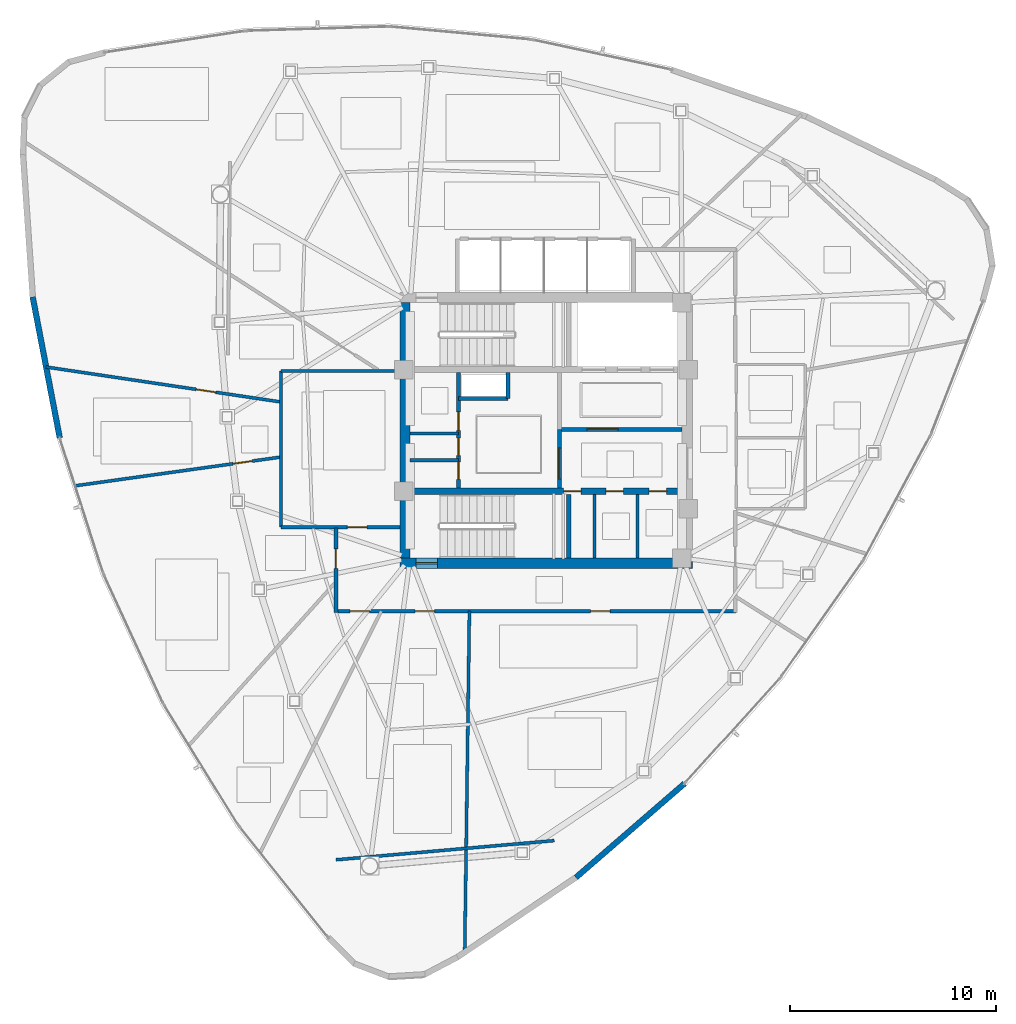
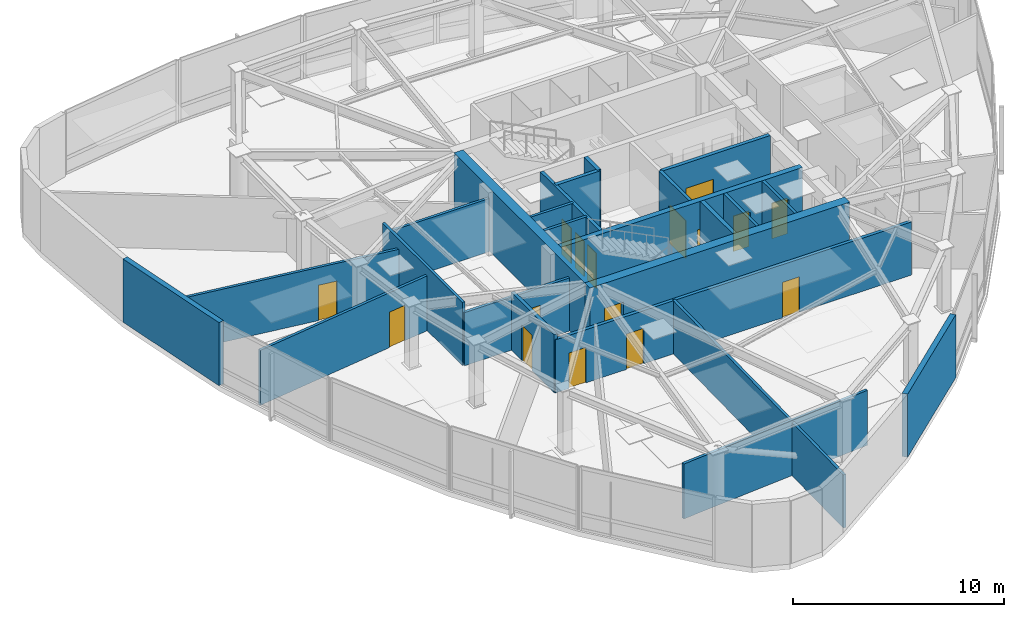
# One storey, part 9 of 14: 24 walls, 16 doors, 16 openings.
"""IFC4 building model written with IfcOpenShell, lengths in metres."""

from ifc_helpers import new_model, si_unit, direction, frame, frame_2d, origin, place, context, subcontext, project, spatial, rectangle, extrude, material, layer, layer_set, type_object, element, fill, save


model = new_model("IFC4")

# Units and contexts
model_context = context("Model", 3, precision=1e-05, world=origin(), true_north=direction((0.0, 1.0)))
body_context = subcontext(model_context, "Body", "Model", "MODEL_VIEW")
ifc_project = project(units=[si_unit("LENGTHUNIT", "METRE"), si_unit("AREAUNIT", "SQUARE_METRE"), si_unit("VOLUMEUNIT", "CUBIC_METRE"), si_unit("PLANEANGLEUNIT", "RADIAN"), si_unit("MASSUNIT", "GRAM", prefix="KILO")], contexts=[model_context])

# Site, building, storey
site_placement = place(None, origin())
site = spatial("IfcSite", under=ifc_project, at=site_placement, CompositionType="ELEMENT")
building_placement = place(site_placement, origin())
building = spatial("IfcBuilding", under=site, at=building_placement, Name="Tavelor Broadcast Tower", CompositionType="ELEMENT")
storey_placement = place(building_placement, frame((0.0, 0.0, 257.699951171875)))
storey = spatial("IfcBuildingStorey", under=building, at=storey_placement, Name="L61", CompositionType="ELEMENT", Elevation=257.699951171875)

# Wall, opening, door
ifc_material_1 = material(Name="Concrete C50/60", Category="concrete")
ifc_layer_1 = layer(ifc_material_1, 0.5)
ifc_layer_set_1 = layer_set([ifc_layer_1], Name="Concrete C50/60")
wall_type_1 = type_object("IfcWallType", Name="Core Shear Wall 500 mm", PredefinedType="SHEAR", material=ifc_layer_set_1)
wall_1_placement = place(storey_placement, frame((42.89990234375, 38.550048828125, 0.0), z_axis=(0.0, 0.0, 1.0), x_axis=(1.0, 0.0, 0.0)))
wall_1 = element("IfcWall", 1, at=wall_1_placement, inside=storey, type_object=wall_type_1, Name="L61 Central Core Shear Wall S", PredefinedType="SHEAR", context=body_context, shape_type="SweptSolid", body=[
    extrude(rectangle(XDim=14.2001953125, YDim=0.5, at=frame_2d((7.10009765625, 0.0))), origin(), (0.0, 0.0, 1.0), 3.650146484375),
])
opening_1_placement = place(wall_1_placement, frame((0.780029296875, 0.0, 0.0)))
opening_1 = element("IfcOpeningElement", 2, at=opening_1_placement, cuts=wall_1, Name="Opening DR11", PredefinedType="OPENING", context=body_context, shape_type="SweptSolid", body=[
    extrude(rectangle(XDim=1.050048828125, YDim=2.199951171875, at=frame_2d((0.52490234375, 1.10009765625))), frame((0.0, 0.260009765625, 0.0), z_axis=(0.0, -1.0, 0.0), x_axis=(1.0, 0.0, 0.0)), (0.0, 0.0, 1.0), 0.52001953125),
])
ifc_material_2 = material(Name="Steel S355", Category="steel")
door_type_1 = type_object("IfcDoorType", Name="Stair Core Fire Escape Door 1050x2200", OperationType="NOTDEFINED", PredefinedType="DOOR", material=ifc_material_2)
door_1_placement = place(opening_1_placement, origin())
door_1 = element("IfcDoor", 3, at=door_1_placement, inside=storey, type_object=door_type_1, Name="L61 Stair ST2 Protected Exit Door", OperationType="SINGLE_SWING_RIGHT", OverallHeight=2.199951171875, OverallWidth=1.050048828125, PredefinedType="DOOR", context=body_context, shape_type="SweptSolid", body=[
    extrude(rectangle(XDim=1.050048828125, YDim=2.199951171875, at=frame_2d((0.52490234375, 1.10009765625))), frame((0.0, 0.02490234375, 0.0), z_axis=(0.0, -1.0, 0.0), x_axis=(1.0, 0.0, 0.0)), (0.0, 0.0, 1.0), 0.050048828125),
])
fill(opening_1, door_1)

# Wall
wall_2_placement = place(storey_placement, frame((43.14990234375, 38.800048828125, 0.0), z_axis=(0.0, 0.0, 1.0), x_axis=(0.0, 1.0, 0.0)))
element("IfcWall", 4, at=wall_2_placement, inside=storey, type_object=wall_type_1, Name="L61 Central Core Shear Wall W", PredefinedType="SHEAR", context=body_context, shape_type="SweptSolid", body=[
    extrude(rectangle(XDim=12.39990234375, YDim=0.5, at=frame_2d((6.199951171875, 0.0))), origin(), (0.0, 0.0, 1.0), 3.650146484375),
])

# Wall, openings, doors
ifc_layer_2 = layer(ifc_material_1, 0.300048828125)
ifc_layer_set_2 = layer_set([ifc_layer_2], Name="Concrete C50/60")
wall_type_2 = type_object("IfcWallType", Name="Core Spine Shear Wall 300 mm C50", PredefinedType="SHEAR", material=ifc_layer_set_2)
wall_3_placement = place(storey_placement, frame((43.39990234375, 42.050048828125, 0.0), z_axis=(0.0, 0.0, 1.0), x_axis=(1.0, 0.0, 0.0)))
wall_3 = element("IfcWall", 5, at=wall_3_placement, inside=storey, type_object=wall_type_2, Name="L61 Central Core Shear Wall SP2", PredefinedType="SHEAR", context=body_context, shape_type="SweptSolid", body=[
    extrude(rectangle(XDim=13.2001953125, YDim=0.300048828125, at=frame_2d((6.60009765625, 0.0))), origin(), (0.0, 0.0, 1.0), 3.650146484375),
])
opening_2_placement = place(wall_3_placement, frame((7.449951171875, 0.0, 0.0)))
opening_2 = element("IfcOpeningElement", 6, at=opening_2_placement, cuts=wall_3, Name="Opening DR36", PredefinedType="OPENING", context=body_context, shape_type="SweptSolid", body=[
    extrude(rectangle(XDim=0.85009765625, YDim=2.050048828125, at=frame_2d((0.425048828125, 1.02490234375))), frame((0.0, 0.16015625, 0.0), z_axis=(0.0, -1.0, 0.0), x_axis=(1.0, 0.0, 0.0)), (0.0, 0.0, 1.0), 0.320068359375),
])
opening_3_placement = place(wall_3_placement, frame((9.5, 0.0, 0.0)))
opening_3 = element("IfcOpeningElement", 7, at=opening_3_placement, cuts=wall_3, Name="Opening DR36", PredefinedType="OPENING", context=body_context, shape_type="SweptSolid", body=[
    extrude(rectangle(XDim=0.85009765625, YDim=2.050048828125, at=frame_2d((0.425048828125, 1.02490234375))), frame((0.0, 0.16015625, 0.0), z_axis=(0.0, -1.0, 0.0), x_axis=(1.0, 0.0, 0.0)), (0.0, 0.0, 1.0), 0.320068359375),
])
opening_4_placement = place(wall_3_placement, frame((11.60009765625, 0.0, 0.0)))
opening_4 = element("IfcOpeningElement", 8, at=opening_4_placement, cuts=wall_3, Name="Opening DR36", PredefinedType="OPENING", context=body_context, shape_type="SweptSolid", body=[
    extrude(rectangle(XDim=0.85009765625, YDim=2.050048828125, at=frame_2d((0.425048828125, 1.02490234375))), frame((0.0, 0.16015625, 0.0), z_axis=(0.0, -1.0, 0.0), x_axis=(1.0, 0.0, 0.0)), (0.0, 0.0, 1.0), 0.320068359375),
])
door_type_2 = type_object("IfcDoorType", Name="Service Room Fire Door 850x2050", OperationType="NOTDEFINED", PredefinedType="DOOR", material=ifc_material_2)
door_2_placement = place(opening_2_placement, origin())
door_2 = element("IfcDoor", 9, at=door_2_placement, inside=storey, type_object=door_type_2, Name="L61 Reclaimed South Core Pod 1 Door", OperationType="SINGLE_SWING_LEFT", OverallHeight=2.050048828125, OverallWidth=0.85009765625, PredefinedType="DOOR", context=body_context, shape_type="SweptSolid", body=[
    extrude(rectangle(XDim=0.85009765625, YDim=2.050048828125, at=frame_2d((0.425048828125, 1.02490234375))), frame((0.0, 0.02490234375, 0.0), z_axis=(0.0, -1.0, 0.0), x_axis=(1.0, 0.0, 0.0)), (0.0, 0.0, 1.0), 0.050048828125),
])
fill(opening_2, door_2)
door_3_placement = place(opening_3_placement, origin())
door_3 = element("IfcDoor", 10, at=door_3_placement, inside=storey, type_object=door_type_2, Name="L61 Reclaimed South Core Pod 2 Door", OperationType="SINGLE_SWING_RIGHT", OverallHeight=2.050048828125, OverallWidth=0.85009765625, PredefinedType="DOOR", context=body_context, shape_type="SweptSolid", body=[
    extrude(rectangle(XDim=0.85009765625, YDim=2.050048828125, at=frame_2d((0.425048828125, 1.02490234375))), frame((0.0, 0.02490234375, 0.0), z_axis=(0.0, -1.0, 0.0), x_axis=(1.0, 0.0, 0.0)), (0.0, 0.0, 1.0), 0.050048828125),
])
fill(opening_3, door_3)
door_4_placement = place(opening_4_placement, origin())
door_4 = element("IfcDoor", 11, at=door_4_placement, inside=storey, type_object=door_type_2, Name="L61 Reclaimed South Core Pod 3 Door", OperationType="SINGLE_SWING_LEFT", OverallHeight=2.050048828125, OverallWidth=0.85009765625, PredefinedType="DOOR", context=body_context, shape_type="SweptSolid", body=[
    extrude(rectangle(XDim=0.85009765625, YDim=2.050048828125, at=frame_2d((0.425048828125, 1.02490234375))), frame((0.0, 0.02490234375, 0.0), z_axis=(0.0, -1.0, 0.0), x_axis=(1.0, 0.0, 0.0)), (0.0, 0.0, 1.0), 0.050048828125),
])
fill(opening_4, door_4)

# Wall, opening, door
ifc_material_3 = material(Name="Calcium Silicate Fire Board 180 mm", Category="gypsum")
ifc_layer_3 = layer(ifc_material_3, 0.179931640625)
ifc_layer_set_3 = layer_set([ifc_layer_3], Name="Calcium Silicate Fire Board 180 mm")
wall_type_3 = type_object("IfcWallType", Name="Fire-Rated Corridor Partition Wall 180 mm", PredefinedType="PARTITIONING", material=ifc_layer_set_3)
wall_4_placement = place(storey_placement, frame((50.64990234375, 42.199951171875, 0.0), z_axis=(0.0, 0.0, 1.0), x_axis=(0.0, 1.0, 0.0)))
wall_4 = element("IfcWall", 12, at=wall_4_placement, inside=storey, type_object=wall_type_3, Name="L61 Core Lobby Zoning Wall", PredefinedType="PARTITIONING", context=body_context, shape_type="SweptSolid", body=[
    extrude(rectangle(XDim=2.85009765625, YDim=0.179931640625, at=frame_2d((1.425048828125, 0.0))), origin(), (0.0, 0.0, 1.0), 3.650146484375),
])
opening_5_placement = place(wall_4_placement, frame((0.449951171875, 0.0, 0.0)))
opening_5 = element("IfcOpeningElement", 13, at=opening_5_placement, cuts=wall_4, Name="Opening DR14", PredefinedType="OPENING", context=body_context, shape_type="SweptSolid", body=[
    extrude(rectangle(XDim=1.5, YDim=2.199951171875, at=frame_2d((0.75, 1.10009765625))), frame((0.0, 0.10009765625, 0.0), z_axis=(0.0, -1.0, 0.0), x_axis=(1.0, 0.0, 0.0)), (0.0, 0.0, 1.0), 0.199951171875),
])
door_type_3 = type_object("IfcDoorType", Name="Firefighting Lobby Double Fire Door 1500x2200", OperationType="NOTDEFINED", PredefinedType="DOOR", material=ifc_material_2)
door_5_placement = place(opening_5_placement, origin())
door_5 = element("IfcDoor", 14, at=door_5_placement, inside=storey, type_object=door_type_3, Name="L61 Core West Lobby Double Fire Door", OperationType="SINGLE_SWING_RIGHT", OverallHeight=2.199951171875, OverallWidth=1.5, PredefinedType="DOOR", context=body_context, shape_type="SweptSolid", body=[
    extrude(rectangle(XDim=1.5, YDim=2.199951171875, at=frame_2d((0.75, 1.10009765625))), frame((0.0, 0.02490234375, 0.0), z_axis=(0.0, -1.0, 0.0), x_axis=(1.0, 0.0, 0.0)), (0.0, 0.0, 1.0), 0.050048828125),
])
fill(opening_5, door_5)

# Wall, openings, doors
wall_5_placement = place(storey_placement, frame((45.75, 42.199951171875, 0.0), z_axis=(0.0, 0.0, 1.0), x_axis=(0.0, 1.0, 0.0)))
wall_5 = element("IfcWall", 15, at=wall_5_placement, inside=storey, type_object=wall_type_3, Name="L61 Core West Service East Wall", PredefinedType="PARTITIONING", context=body_context, shape_type="SweptSolid", body=[
    extrude(rectangle(XDim=5.60009765625, YDim=0.179931640625, at=frame_2d((2.800048828125, 0.0))), origin(), (0.0, 0.0, 1.0), 3.650146484375),
])
opening_6_placement = place(wall_5_placement, frame((0.419921875, 0.0, 0.0)))
opening_6 = element("IfcOpeningElement", 16, at=opening_6_placement, cuts=wall_5, Name="Opening DR36", PredefinedType="OPENING", context=body_context, shape_type="SweptSolid", body=[
    extrude(rectangle(XDim=0.85009765625, YDim=2.050048828125, at=frame_2d((0.425048828125, 1.02490234375))), frame((0.0, 0.10009765625, 0.0), z_axis=(0.0, -1.0, 0.0), x_axis=(1.0, 0.0, 0.0)), (0.0, 0.0, 1.0), 0.199951171875),
])
opening_7_placement = place(wall_5_placement, frame((1.570068359375, 0.0, 0.0)))
opening_7 = element("IfcOpeningElement", 17, at=opening_7_placement, cuts=wall_5, Name="Opening DR36", PredefinedType="OPENING", context=body_context, shape_type="SweptSolid", body=[
    extrude(rectangle(XDim=0.85009765625, YDim=2.050048828125, at=frame_2d((0.425048828125, 1.02490234375))), frame((0.0, 0.10009765625, 0.0), z_axis=(0.0, -1.0, 0.0), x_axis=(1.0, 0.0, 0.0)), (0.0, 0.0, 1.0), 0.199951171875),
])
opening_8_placement = place(wall_5_placement, frame((2.800048828125, 0.0, 0.0)))
opening_8 = element("IfcOpeningElement", 18, at=opening_8_placement, cuts=wall_5, Name="Opening DR32", PredefinedType="OPENING", context=body_context, shape_type="SweptSolid", body=[
    extrude(rectangle(XDim=0.89990234375, YDim=2.050048828125, at=frame_2d((0.449951171875, 1.02490234375))), frame((0.0, 0.10009765625, 0.0), z_axis=(0.0, -1.0, 0.0), x_axis=(1.0, 0.0, 0.0)), (0.0, 0.0, 1.0), 0.199951171875),
])
ifc_material_4 = material(Name="Timber Solid Core Hardwood", Category="wood")
door_type_4 = type_object("IfcDoorType", Name="Accessible Washroom Door 900x2050", OperationType="NOTDEFINED", PredefinedType="DOOR", material=ifc_material_4)
door_6_placement = place(opening_8_placement, origin())
door_6 = element("IfcDoor", 19, at=door_6_placement, inside=storey, type_object=door_type_4, Name="L61 Core Accessible WC Door", OperationType="SINGLE_SWING_LEFT", OverallHeight=2.050048828125, OverallWidth=0.89990234375, PredefinedType="DOOR", context=body_context, shape_type="SweptSolid", body=[
    extrude(rectangle(XDim=0.89990234375, YDim=2.050048828125, at=frame_2d((0.449951171875, 1.02490234375))), frame((0.0, 0.02490234375, 0.0), z_axis=(0.0, -1.0, 0.0), x_axis=(1.0, 0.0, 0.0)), (0.0, 0.0, 1.0), 0.050048828125),
])
fill(opening_8, door_6)
door_7_placement = place(opening_6_placement, origin())
door_7 = element("IfcDoor", 20, at=door_7_placement, inside=storey, type_object=door_type_2, Name="L61 Core Medical Room Door", OperationType="SINGLE_SWING_LEFT", OverallHeight=2.050048828125, OverallWidth=0.85009765625, PredefinedType="DOOR", context=body_context, shape_type="SweptSolid", body=[
    extrude(rectangle(XDim=0.85009765625, YDim=2.050048828125, at=frame_2d((0.425048828125, 1.02490234375))), frame((0.0, 0.02490234375, 0.0), z_axis=(0.0, -1.0, 0.0), x_axis=(1.0, 0.0, 0.0)), (0.0, 0.0, 1.0), 0.050048828125),
])
fill(opening_6, door_7)
door_8_placement = place(opening_7_placement, origin())
door_8 = element("IfcDoor", 21, at=door_8_placement, inside=storey, type_object=door_type_2, Name="L61 Core Copy Room Door", OperationType="SINGLE_SWING_RIGHT", OverallHeight=2.050048828125, OverallWidth=0.85009765625, PredefinedType="DOOR", context=body_context, shape_type="SweptSolid", body=[
    extrude(rectangle(XDim=0.85009765625, YDim=2.050048828125, at=frame_2d((0.425048828125, 1.02490234375))), frame((0.0, 0.02490234375, 0.0), z_axis=(0.0, -1.0, 0.0), x_axis=(1.0, 0.0, 0.0)), (0.0, 0.0, 1.0), 0.050048828125),
])
fill(opening_7, door_8)

wall_6_placement = place(storey_placement, frame((59.22998046875, 36.219970703125, 0.0), z_axis=(0.0, 0.0, 1.0), x_axis=(-1.0, 0.0, 0.0)))
wall_6 = element("IfcWall", 22, at=wall_6_placement, inside=storey, type_object=wall_type_3, Name="L61 Corridor Compartment Wall 04", PredefinedType="PARTITIONING", context=body_context, shape_type="SweptSolid", body=[
    extrude(rectangle(XDim=19.47998046875, YDim=0.179931640625, at=frame_2d((9.739990234375, 0.0))), origin(), (0.0, 0.0, 1.0), 3.074951171875),
])
opening_9_placement = place(wall_6_placement, frame((6.118896484375, 0.0, 0.0)))
opening_9 = element("IfcOpeningElement", 23, at=opening_9_placement, cuts=wall_6, Name="Opening DR18", PredefinedType="OPENING", context=body_context, shape_type="SweptSolid", body=[
    extrude(rectangle(XDim=0.949951171875, YDim=2.050048828125, at=frame_2d((0.47509765625, 1.02490234375))), frame((0.0, 0.10009765625, 0.0), z_axis=(0.0, -1.0, 0.0), x_axis=(1.0, 0.0, 0.0)), (0.0, 0.0, 1.0), 0.199951171875),
])
opening_10_placement = place(wall_6_placement, frame((14.638671875, 0.0, 0.0)))
opening_10 = element("IfcOpeningElement", 24, at=opening_10_placement, cuts=wall_6, Name="Opening DR18", PredefinedType="OPENING", context=body_context, shape_type="SweptSolid", body=[
    extrude(rectangle(XDim=0.949951171875, YDim=2.050048828125, at=frame_2d((0.47509765625, 1.02490234375))), frame((0.0, 0.10009765625, 0.0), z_axis=(0.0, -1.0, 0.0), x_axis=(1.0, 0.0, 0.0)), (0.0, 0.0, 1.0), 0.199951171875),
])
opening_11_placement = place(wall_6_placement, frame((17.794921875, 0.0, 0.0)))
opening_11 = element("IfcOpeningElement", 25, at=opening_11_placement, cuts=wall_6, Name="Opening DR18", PredefinedType="OPENING", context=body_context, shape_type="SweptSolid", body=[
    extrude(rectangle(XDim=0.949951171875, YDim=2.050048828125, at=frame_2d((0.47509765625, 1.02490234375))), frame((0.0, 0.10009765625, 0.0), z_axis=(0.0, -1.0, 0.0), x_axis=(1.0, 0.0, 0.0)), (0.0, 0.0, 1.0), 0.199951171875),
])
door_type_5 = type_object("IfcDoorType", Name="Corridor Rated Compartment Door 950x2050", OperationType="NOTDEFINED", PredefinedType="DOOR", material=ifc_material_4)
door_9_placement = place(opening_9_placement, origin())
door_9 = element("IfcDoor", 26, at=door_9_placement, inside=storey, type_object=door_type_5, Name="L61 Standards Huddle Room Door R0", OperationType="SINGLE_SWING_RIGHT", OverallHeight=2.050048828125, OverallWidth=0.949951171875, PredefinedType="DOOR", context=body_context, shape_type="SweptSolid", body=[
    extrude(rectangle(XDim=0.949951171875, YDim=2.050048828125, at=frame_2d((0.47509765625, 1.02490234375))), frame((0.0, 0.02490234375, 0.0), z_axis=(0.0, -1.0, 0.0), x_axis=(1.0, 0.0, 0.0)), (0.0, 0.0, 1.0), 0.050048828125),
])
fill(opening_9, door_9)
door_10_placement = place(opening_10_placement, origin())
door_10 = element("IfcDoor", 27, at=door_10_placement, inside=storey, type_object=door_type_5, Name="L61 Creative Huddle Room Door R1", OperationType="SINGLE_SWING_LEFT", OverallHeight=2.050048828125, OverallWidth=0.949951171875, PredefinedType="DOOR", context=body_context, shape_type="SweptSolid", body=[
    extrude(rectangle(XDim=0.949951171875, YDim=2.050048828125, at=frame_2d((0.47509765625, 1.02490234375))), frame((0.0, 0.02490234375, 0.0), z_axis=(0.0, -1.0, 0.0), x_axis=(1.0, 0.0, 0.0)), (0.0, 0.0, 1.0), 0.050048828125),
])
fill(opening_10, door_10)
door_11_placement = place(opening_11_placement, origin())
door_11 = element("IfcDoor", 28, at=door_11_placement, inside=storey, type_object=door_type_5, Name="L61 Newsroom Huddle Room Door R2", OperationType="SINGLE_SWING_RIGHT", OverallHeight=2.050048828125, OverallWidth=0.949951171875, PredefinedType="DOOR", context=body_context, shape_type="SweptSolid", body=[
    extrude(rectangle(XDim=0.949951171875, YDim=2.050048828125, at=frame_2d((0.47509765625, 1.02490234375))), frame((0.0, 0.02490234375, 0.0), z_axis=(0.0, -1.0, 0.0), x_axis=(1.0, 0.0, 0.0)), (0.0, 0.0, 1.0), 0.050048828125),
])
fill(opening_11, door_11)

# Wall, opening, door
wall_7_placement = place(storey_placement, frame((39.800048828125, 36.169921875, 0.0), z_axis=(0.0, 0.0, 1.0), x_axis=(0.0, 1.0, 0.0)))
wall_7 = element("IfcWall", 29, at=wall_7_placement, inside=storey, type_object=wall_type_3, Name="L61 Corridor Compartment Wall 05", PredefinedType="PARTITIONING", context=body_context, shape_type="SweptSolid", body=[
    extrude(rectangle(XDim=4.080078125, YDim=0.179931640625, at=frame_2d((2.0400390625, 0.0))), origin(), (0.0, 0.0, 1.0), 3.35498046875),
])
opening_12_placement = place(wall_7_placement, frame((2.128173828125, 0.0, 0.0)))
opening_12 = element("IfcOpeningElement", 30, at=opening_12_placement, cuts=wall_7, Name="Opening DR18", PredefinedType="OPENING", context=body_context, shape_type="SweptSolid", body=[
    extrude(rectangle(XDim=0.949951171875, YDim=2.050048828125, at=frame_2d((0.47509765625, 1.02490234375))), frame((0.0, 0.10009765625, 0.0), z_axis=(0.0, -1.0, 0.0), x_axis=(1.0, 0.0, 0.0)), (0.0, 0.0, 1.0), 0.199951171875),
])
door_12_placement = place(opening_12_placement, origin())
door_12 = element("IfcDoor", 31, at=door_12_placement, inside=storey, type_object=door_type_5, Name="L61 Producer Interview Room Door R3", OperationType="SINGLE_SWING_LEFT", OverallHeight=2.050048828125, OverallWidth=0.949951171875, PredefinedType="DOOR", context=body_context, shape_type="SweptSolid", body=[
    extrude(rectangle(XDim=0.949951171875, YDim=2.050048828125, at=frame_2d((0.47509765625, 1.02490234375))), frame((0.0, 0.02490234375, 0.0), z_axis=(0.0, -1.0, 0.0), x_axis=(1.0, 0.0, 0.0)), (0.0, 0.0, 1.0), 0.050048828125),
])
fill(opening_12, door_12)

# Walls
ifc_material_5 = material(Name="Precast Concrete C40/50", Category="concrete")
ifc_layer_4 = layer(ifc_material_5, 0.280029296875)
ifc_layer_set_4 = layer_set([ifc_layer_4], Name="Precast Concrete C40/50")
wall_type_4 = type_object("IfcWallType", Name="Insulated Precast Terracotta Facade Wall 280 mm", PredefinedType="STANDARD", material=ifc_layer_set_4)
for number, where, z_axis, x_axis, name in (
    (32, (25.072509765625, 51.4814453125, 0.0), (0.0, 0.0, 1.0), (0.188631677745, -0.98204790624, 0.0), "L61 Rounded Corner Structural Cladding Pier 06"),
    (33, (51.45068359375, 23.2890625, 0.0), (0.0, 0.0, 1.0), (0.756146678042, 0.654402170905, 0.0), "L61 Rounded Corner Structural Cladding Pier 16"),
):
    element("IfcWall", number, at=place(storey_placement, frame(where, z_axis=z_axis, x_axis=x_axis)), inside=storey, type_object=wall_type_4, Name=name, PredefinedType="STANDARD", context=body_context, shape_type="SweptSolid", body=[
        extrude(rectangle(XDim=6.96826171875, YDim=0.280029296875, at=frame_2d((3.484130859375, 0.0))), origin(), (0.0, 0.0, 1.0), 3.650146484375),
    ])
ifc_material_6 = material(Name="Gypsum Acoustic Plasterboard 150 mm", Category="gypsum")
ifc_layer_5 = layer(ifc_material_6, 0.14990234375)
ifc_layer_set_5 = layer_set([ifc_layer_5], Name="Gypsum Acoustic Plasterboard 150 mm")
wall_type_5 = type_object("IfcWallType", Name="Interior Acoustic Partition Wall 150 mm", PredefinedType="PARTITIONING", material=ifc_layer_set_5)
for number, where, z_axis, x_axis, name in (
    (34, (52.35009765625, 38.800048828125, 0.0), (0.0, 0.0, 1.0), (0.0, 1.0, 0.0), "L61 Reclaimed South Core Divider 1"),
    (35, (54.449951171875, 38.800048828125, 0.0), (0.0, 0.0, 1.0), (0.0, 1.0, 0.0), "L61 Reclaimed South Core Divider 2"),
):
    element("IfcWall", number, at=place(storey_placement, frame(where, z_axis=z_axis, x_axis=x_axis)), inside=storey, type_object=wall_type_5, Name=name, PredefinedType="PARTITIONING", context=body_context, shape_type="SweptSolid", body=[
        extrude(rectangle(XDim=3.099853515625, YDim=0.14990234375, at=frame_2d((1.5498046875, 0.0))), origin(), (0.0, 0.0, 1.0), 3.650146484375),
    ])
for number, where, z_axis, x_axis, name in (
    (36, (43.39990234375, 43.550048828125, 0.0), (0.0, 0.0, 1.0), (1.0, 0.0, 0.0), "L61 Core Split Wall B1"),
    (37, (43.39990234375, 44.85009765625, 0.0), (0.0, 0.0, 1.0), (1.0, 0.0, 0.0), "L61 Core Split Wall B2"),
):
    element("IfcWall", number, at=place(storey_placement, frame(where, z_axis=z_axis, x_axis=x_axis)), inside=storey, type_object=wall_type_5, Name=name, PredefinedType="PARTITIONING", context=body_context, shape_type="SweptSolid", body=[
        extrude(rectangle(XDim=2.35009765625, YDim=0.14990234375, at=frame_2d((1.175048828125, 0.0))), origin(), (0.0, 0.0, 1.0), 3.650146484375),
    ])
wall_8_placement = place(storey_placement, frame((39.807861328125, 24.15185546875, 0.0), z_axis=(0.0, 0.0, 1.0), x_axis=(0.996153584085, 0.087624408208, 0.0)))
element("IfcWall", 38, at=wall_8_placement, inside=storey, type_object=wall_type_5, Name="L61 Corner Tube Brace Furring Wall 2", PredefinedType="PARTITIONING", context=body_context, shape_type="SweptSolid", body=[
    extrude(rectangle(XDim=10.63232421875, YDim=0.14990234375, at=frame_2d((5.316162109375, 0.0))), origin(), (0.0, 0.0, 1.0), 3.175048828125),
])

# Wall, opening, door
wall_9_placement = place(storey_placement, frame((37.139892578125, 40.300048828125, 0.0), z_axis=(0.0, 0.0, 1.0), x_axis=(1.0, 0.0, 0.0)))
wall_9 = element("IfcWall", 39, at=wall_9_placement, inside=storey, type_object=wall_type_5, Name="L61 Reclaimed Shaft Pantry South Wall", PredefinedType="PARTITIONING", context=body_context, shape_type="SweptSolid", body=[
    extrude(rectangle(XDim=5.760009765625, YDim=0.14990234375, at=frame_2d((2.8798828125, 0.0))), origin(), (0.0, 0.0, 1.0), 3.074951171875),
])
opening_13_placement = place(wall_9_placement, frame((3.2099609375, 0.0, 0.0)))
opening_13 = element("IfcOpeningElement", 40, at=opening_13_placement, cuts=wall_9, Name="Opening DR18", PredefinedType="OPENING", context=body_context, shape_type="SweptSolid", body=[
    extrude(rectangle(XDim=0.949951171875, YDim=2.050048828125, at=frame_2d((0.47509765625, 1.02490234375))), frame((0.0, 0.0849609375, 0.0), z_axis=(0.0, -1.0, 0.0), x_axis=(1.0, 0.0, 0.0)), (0.0, 0.0, 1.0), 0.169921875),
])
door_13_placement = place(opening_13_placement, origin())
door_13 = element("IfcDoor", 41, at=door_13_placement, inside=storey, type_object=door_type_5, Name="L61 Broadcast IT Patch and Pantry Door", OperationType="SINGLE_SWING_LEFT", OverallHeight=2.050048828125, OverallWidth=0.949951171875, PredefinedType="DOOR", context=body_context, shape_type="SweptSolid", body=[
    extrude(rectangle(XDim=0.949951171875, YDim=2.050048828125, at=frame_2d((0.47509765625, 1.02490234375))), frame((0.0, 0.02490234375, 0.0), z_axis=(0.0, -1.0, 0.0), x_axis=(1.0, 0.0, 0.0)), (0.0, 0.0, 1.0), 0.050048828125),
])
fill(opening_13, door_13)

# Walls
wall_10_placement = place(storey_placement, frame((37.139892578125, 40.300048828125, 0.0), z_axis=(0.0, 0.0, 1.0), x_axis=(0.0, 1.0, 0.0)))
element("IfcWall", 42, at=wall_10_placement, inside=storey, type_object=wall_type_5, Name="L61 Reclaimed Shaft Pantry West Wall", PredefinedType="PARTITIONING", context=body_context, shape_type="SweptSolid", body=[
    extrude(rectangle(XDim=7.579833984375, YDim=0.14990234375, at=frame_2d((3.7900390625, 0.0))), origin(), (0.0, 0.0, 1.0), 3.650146484375),
])
wall_11_placement = place(storey_placement, frame((37.139892578125, 47.8798828125, 0.0), z_axis=(0.0, 0.0, 1.0), x_axis=(1.0, 0.0, 0.0)))
element("IfcWall", 43, at=wall_11_placement, inside=storey, type_object=wall_type_5, Name="L61 Reclaimed Shaft Pantry North Wall", PredefinedType="PARTITIONING", context=body_context, shape_type="SweptSolid", body=[
    extrude(rectangle(XDim=5.760009765625, YDim=0.14990234375, at=frame_2d((2.8798828125, 0.0))), origin(), (0.0, 0.0, 1.0), 3.074951171875),
])

# Wall, opening, door
wall_12_placement = place(storey_placement, frame((37.080078125, 46.387451171875, 0.0), z_axis=(0.0, 0.0, 1.0), x_axis=(-0.989098476409, 0.147255573634, 0.0)))
wall_12 = element("IfcWall", 44, at=wall_12_placement, inside=storey, type_object=wall_type_5, Name="L61 Radial Compartment Wall 02", PredefinedType="PARTITIONING", context=body_context, shape_type="SweptSolid", body=[
    extrude(rectangle(XDim=11.489501953125, YDim=0.14990234375, at=frame_2d((5.74462890625, 0.0))), origin(), (0.0, 0.0, 1.0), 3.074951171875),
])
opening_14_placement = place(wall_12_placement, frame((3.14990234375, 0.0, 0.0)))
opening_14 = element("IfcOpeningElement", 45, at=opening_14_placement, cuts=wall_12, Name="Opening DR18", PredefinedType="OPENING", context=body_context, shape_type="SweptSolid", body=[
    extrude(rectangle(XDim=0.949951171875, YDim=2.050048828125, at=frame_2d((0.47509765625, 1.02490234375))), frame((0.0, 0.0849609375, 0.0), z_axis=(0.0, -1.0, 0.0), x_axis=(1.0, 0.0, 0.0)), (0.0, 0.0, 1.0), 0.169921875),
])
door_14_placement = place(opening_14_placement, origin())
door_14 = element("IfcDoor", 46, at=door_14_placement, inside=storey, type_object=door_type_5, Name="L61 Suite Connecting Door 5", OperationType="SINGLE_SWING_LEFT", OverallHeight=2.050048828125, OverallWidth=0.949951171875, PredefinedType="DOOR", context=body_context, shape_type="SweptSolid", body=[
    extrude(rectangle(XDim=0.949951171875, YDim=2.050048828125, at=frame_2d((0.47509765625, 1.02490234375))), frame((0.0, 0.02490234375, 0.0), z_axis=(0.0, -1.0, 0.0), x_axis=(1.0, 0.0, 0.0)), (0.0, 0.0, 1.0), 0.050048828125),
])
fill(opening_14, door_14)

wall_13_placement = place(storey_placement, frame((37.080078125, 43.69873046875, 0.0), z_axis=(0.0, 0.0, 1.0), x_axis=(-0.990391978806, -0.138288569002, 0.0)))
wall_13 = element("IfcWall", 47, at=wall_13_placement, inside=storey, type_object=wall_type_5, Name="L61 Radial Compartment Wall 03", PredefinedType="PARTITIONING", context=body_context, shape_type="SweptSolid", body=[
    extrude(rectangle(XDim=10.05078125, YDim=0.14990234375, at=frame_2d((5.025390625, 0.0))), origin(), (0.0, 0.0, 1.0), 3.175048828125),
])
opening_15_placement = place(wall_13_placement, frame((1.35009765625, 0.0, 0.0)))
opening_15 = element("IfcOpeningElement", 48, at=opening_15_placement, cuts=wall_13, Name="Opening DR18", PredefinedType="OPENING", context=body_context, shape_type="SweptSolid", body=[
    extrude(rectangle(XDim=0.949951171875, YDim=2.050048828125, at=frame_2d((0.47509765625, 1.02490234375))), frame((0.0, 0.0849609375, 0.0), z_axis=(0.0, -1.0, 0.0), x_axis=(1.0, 0.0, 0.0)), (0.0, 0.0, 1.0), 0.169921875),
])
door_15_placement = place(opening_15_placement, origin())
door_15 = element("IfcDoor", 49, at=door_15_placement, inside=storey, type_object=door_type_5, Name="L61 Suite Connecting Door 4", OperationType="SINGLE_SWING_RIGHT", OverallHeight=2.050048828125, OverallWidth=0.949951171875, PredefinedType="DOOR", context=body_context, shape_type="SweptSolid", body=[
    extrude(rectangle(XDim=0.949951171875, YDim=2.050048828125, at=frame_2d((0.47509765625, 1.02490234375))), frame((0.0, 0.02490234375, 0.0), z_axis=(0.0, -1.0, 0.0), x_axis=(1.0, 0.0, 0.0)), (0.0, 0.0, 1.0), 0.050048828125),
])
fill(opening_15, door_15)

# Walls
wall_14_placement = place(storey_placement, frame((46.279296875, 36.219970703125, 0.0), z_axis=(0.0, 0.0, 1.0), x_axis=(-0.013743748116, -0.999905550233, 0.0)))
element("IfcWall", 50, at=wall_14_placement, inside=storey, type_object=wall_type_5, Name="L61 Radial Compartment Wall 06", PredefinedType="PARTITIONING", context=body_context, shape_type="SweptSolid", body=[
    extrude(rectangle(XDim=16.573486328125, YDim=0.14990234375, at=frame_2d((8.28662109375, 0.0))), origin(), (0.0, 0.0, 1.0), 3.074951171875),
])
ifc_material_7 = material(Name="Concrete Blockwork 200 mm", Category="masonry")
ifc_layer_6 = layer(ifc_material_7, 0.199951171875)
ifc_layer_set_6 = layer_set([ifc_layer_6], Name="Concrete Blockwork 200 mm")
wall_type_6 = type_object("IfcWallType", Name="Lift and Riser Shaft Enclosure Wall 200 mm", PredefinedType="PARTITIONING", material=ifc_layer_set_6)
wall_15_placement = place(storey_placement, frame((45.75, 46.550048828125, 0.0), z_axis=(0.0, 0.0, 1.0), x_axis=(1.0, 0.0, 0.0)))
element("IfcWall", 51, at=wall_15_placement, inside=storey, type_object=wall_type_6, Name="L61 Riser Shaft South Wall", PredefinedType="PARTITIONING", context=body_context, shape_type="SweptSolid", body=[
    extrude(rectangle(XDim=2.39990234375, YDim=0.199951171875, at=frame_2d((1.199951171875, 0.0))), origin(), (0.0, 0.0, 1.0), 3.650146484375),
])
wall_16_placement = place(storey_placement, frame((48.14990234375, 46.550048828125, 0.0), z_axis=(0.0, 0.0, 1.0), x_axis=(0.0, 1.0, 0.0)))
element("IfcWall", 52, at=wall_16_placement, inside=storey, type_object=wall_type_6, Name="L61 Riser Shaft East Wall", PredefinedType="PARTITIONING", context=body_context, shape_type="SweptSolid", body=[
    extrude(rectangle(XDim=1.25, YDim=0.199951171875, at=frame_2d((0.625, 0.0))), origin(), (0.0, 0.0, 1.0), 3.650146484375),
])

# Wall, opening, door
wall_17_placement = place(storey_placement, frame((50.64990234375, 45.050048828125, 0.0), z_axis=(0.0, 0.0, 1.0), x_axis=(1.0, 0.0, 0.0)))
wall_17 = element("IfcWall", 53, at=wall_17_placement, inside=storey, type_object=wall_type_6, Name="L61 Firefighting Lobby South Wall", PredefinedType="PARTITIONING", context=body_context, shape_type="SweptSolid", body=[
    extrude(rectangle(XDim=5.9501953125, YDim=0.199951171875, at=frame_2d((2.97509765625, 0.0))), origin(), (0.0, 0.0, 1.0), 3.650146484375),
])
opening_16_placement = place(wall_17_placement, frame((1.35009765625, 0.0, 0.0)))
opening_16 = element("IfcOpeningElement", 54, at=opening_16_placement, cuts=wall_17, Name="Opening DR14", PredefinedType="OPENING", context=body_context, shape_type="SweptSolid", body=[
    extrude(rectangle(XDim=1.5, YDim=2.199951171875, at=frame_2d((0.75, 1.10009765625))), frame((0.0, 0.10986328125, 0.0), z_axis=(0.0, -1.0, 0.0), x_axis=(1.0, 0.0, 0.0)), (0.0, 0.0, 1.0), 0.219970703125),
])
door_16_placement = place(opening_16_placement, origin())
door_16 = element("IfcDoor", 55, at=door_16_placement, inside=storey, type_object=door_type_3, Name="L61 Firefighting Lobby Compartment Door", OperationType="SINGLE_SWING_LEFT", OverallHeight=2.199951171875, OverallWidth=1.5, PredefinedType="DOOR", context=body_context, shape_type="SweptSolid", body=[
    extrude(rectangle(XDim=1.5, YDim=2.199951171875, at=frame_2d((0.75, 1.10009765625))), frame((0.0, 0.02490234375, 0.0), z_axis=(0.0, -1.0, 0.0), x_axis=(1.0, 0.0, 0.0)), (0.0, 0.0, 1.0), 0.050048828125),
])
fill(opening_16, door_16)

# Wall
ifc_material_8 = material(Name="Concrete C40/50", Category="concrete")
ifc_layer_7 = layer(ifc_material_8, 0.219970703125)
ifc_layer_set_7 = layer_set([ifc_layer_7], Name="Concrete C40/50")
wall_type_7 = type_object("IfcWallType", Name="Structural Stairwell Shear Wall 220 mm", PredefinedType="SHEAR", material=ifc_layer_set_7)
wall_18_placement = place(storey_placement, frame((51.110107421875, 38.800048828125, 0.0), z_axis=(0.0, 0.0, 1.0), x_axis=(0.0, 1.0, 0.0)))
element("IfcWall", 56, at=wall_18_placement, inside=storey, type_object=wall_type_7, Name="L61 Stair ST2 Structural Shaft Wall", PredefinedType="SHEAR", context=body_context, shape_type="SweptSolid", body=[
    extrude(rectangle(XDim=3.099853515625, YDim=0.219970703125, at=frame_2d((1.5498046875, 0.0))), origin(), (0.0, 0.0, 1.0), 3.650146484375),
])

save(model, "model.ifc")
